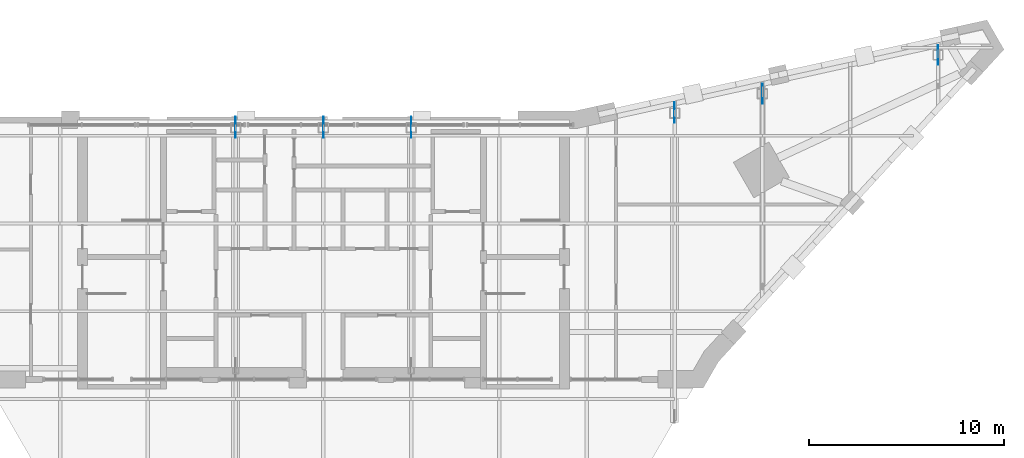
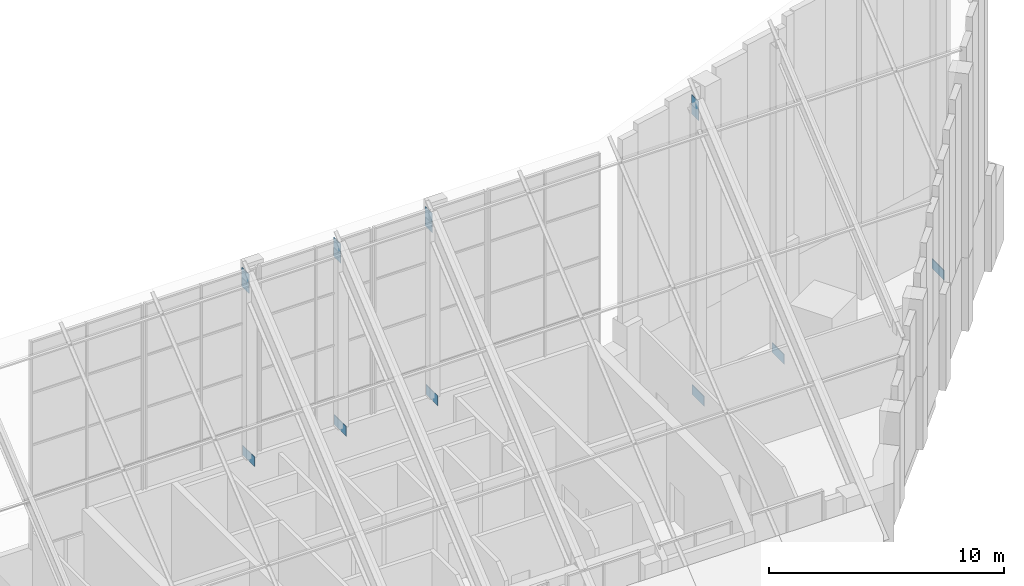
# One storey, part 16 of 19: 10 discrete accessories.
"""IFC4 building model written with IfcOpenShell, lengths in metres."""

from ifc_helpers import new_model, si_unit, direction, frame, origin, origin_2d, place, context, subcontext, project, spatial, rectangle, extrude, material, type_object, element, save


model = new_model("IFC4")

# Units and contexts
model_context = context("Model", 3, precision=1e-05, world=origin(), true_north=direction((0.0, 1.0)))
body_context = subcontext(model_context, "Body", "Model", "MODEL_VIEW")
ifc_project = project(units=[si_unit("LENGTHUNIT", "METRE"), si_unit("AREAUNIT", "SQUARE_METRE"), si_unit("VOLUMEUNIT", "CUBIC_METRE"), si_unit("PLANEANGLEUNIT", "RADIAN"), si_unit("MASSUNIT", "GRAM", prefix="KILO")], contexts=[model_context])

# Site, building, storey
site_placement = place(None, origin())
site = spatial("IfcSite", under=ifc_project, at=site_placement, CompositionType="ELEMENT")
building_placement = place(site_placement, origin())
building = spatial("IfcBuilding", under=site, at=building_placement, Name="Calabash Gate Tower", CompositionType="ELEMENT")
storey_placement = place(building_placement, frame((0.0, 0.0, 335.5)))
storey = spatial("IfcBuildingStorey", under=building, at=storey_placement, Name="L78", CompositionType="ELEMENT", Elevation=335.5)

# Discrete accessories
ifc_material = material(Name="Steel ASTM A572 Gr50", Category="steel")
discrete_accessory_type = type_object("IfcDiscreteAccessoryType", Name="Connection plate 25", PredefinedType="BRACKET", material=ifc_material)
discrete_accessory_1_placement = place(storey_placement, frame((-4.5, 18.9130859375, 13.4384765625), z_axis=(0.0, 0.0, 1.0), x_axis=(0.0, 1.0, 0.0)))
element("IfcDiscreteAccessory", 1, at=discrete_accessory_1_placement, inside=storey, type_object=discrete_accessory_type, Name="Connection plate Roof rafter 3 end", PredefinedType="BRACKET", context=body_context, shape_type="SweptSolid", body=[
    extrude(rectangle(XDim=0.601318359375, YDim=0.02490234375, at=origin_2d()), origin(), (0.0, 0.0, 1.0), 1.000732421875),
])
discrete_accessory_2_placement = place(storey_placement, frame((-4.5, 18.652587890625, 4.74609375), z_axis=(0.0, 0.0, 1.0), x_axis=(0.0, 1.0, 0.0)))
element("IfcDiscreteAccessory", 2, at=discrete_accessory_2_placement, inside=storey, type_object=discrete_accessory_type, Name="Connection plate Roof post 5 start", PredefinedType="BRACKET", context=body_context, shape_type="SweptSolid", body=[
    extrude(rectangle(XDim=1.0126953125, YDim=0.02490234375, at=origin_2d()), origin(), (0.0, 0.0, 1.0), 0.508056640625),
])
discrete_accessory_3_placement = place(storey_placement, frame((0.0, 18.9130859375, 13.4384765625), z_axis=(0.0, 0.0, 1.0), x_axis=(0.0, 1.0, 0.0)))
element("IfcDiscreteAccessory", 3, at=discrete_accessory_3_placement, inside=storey, type_object=discrete_accessory_type, Name="Connection plate Roof rafter 4 end", PredefinedType="BRACKET", context=body_context, shape_type="SweptSolid", body=[
    extrude(rectangle(XDim=0.601318359375, YDim=0.02490234375, at=origin_2d()), origin(), (0.0, 0.0, 1.0), 1.000732421875),
])
discrete_accessory_4_placement = place(storey_placement, frame((0.0, 18.652587890625, 4.74609375), z_axis=(0.0, 0.0, 1.0), x_axis=(0.0, 1.0, 0.0)))
element("IfcDiscreteAccessory", 4, at=discrete_accessory_4_placement, inside=storey, type_object=discrete_accessory_type, Name="Connection plate Roof post 7 start", PredefinedType="BRACKET", context=body_context, shape_type="SweptSolid", body=[
    extrude(rectangle(XDim=1.0126953125, YDim=0.02490234375, at=origin_2d()), origin(), (0.0, 0.0, 1.0), 0.508056640625),
])
discrete_accessory_5_placement = place(storey_placement, frame((4.5, 18.9130859375, 13.4384765625), z_axis=(0.0, 0.0, 1.0), x_axis=(0.0, 1.0, 0.0)))
element("IfcDiscreteAccessory", 5, at=discrete_accessory_5_placement, inside=storey, type_object=discrete_accessory_type, Name="Connection plate Roof rafter 6 end", PredefinedType="BRACKET", context=body_context, shape_type="SweptSolid", body=[
    extrude(rectangle(XDim=0.601318359375, YDim=0.02490234375, at=origin_2d()), origin(), (0.0, 0.0, 1.0), 1.000732421875),
])
discrete_accessory_6_placement = place(storey_placement, frame((4.5, 18.652587890625, 4.74609375), z_axis=(0.0, 0.0, 1.0), x_axis=(0.0, 1.0, 0.0)))
element("IfcDiscreteAccessory", 6, at=discrete_accessory_6_placement, inside=storey, type_object=discrete_accessory_type, Name="Connection plate Roof post 10 start", PredefinedType="BRACKET", context=body_context, shape_type="SweptSolid", body=[
    extrude(rectangle(XDim=1.0126953125, YDim=0.02490234375, at=origin_2d()), origin(), (0.0, 0.0, 1.0), 0.508056640625),
])
discrete_accessory_7_placement = place(storey_placement, frame((18.0, 19.6640625, 14.068359375), z_axis=(0.0, 0.0, 1.0), x_axis=(0.0, 1.0, 0.0)))
element("IfcDiscreteAccessory", 7, at=discrete_accessory_7_placement, inside=storey, type_object=discrete_accessory_type, Name="Connection plate Roof rafter 7 end", PredefinedType="BRACKET", context=body_context, shape_type="SweptSolid", body=[
    extrude(rectangle(XDim=0.601318359375, YDim=0.02490234375, at=origin_2d()), origin(), (0.0, 0.0, 1.0), 1.000732421875),
])
for number, where, z_axis, x_axis, name in (
    (8, (18.0, 19.404052734375, -0.4541015625), (0.0, 0.0, 1.0), (0.0, 1.0, 0.0), "Connection plate Roof post 12 start"),
    (9, (22.5, 20.39697265625, -0.4541015625), (0.0, 0.0, 1.0), (0.0, 1.0, 0.0), "Connection plate Roof post 14 start"),
    (10, (31.5, 22.383056640625, -0.4541015625), (0.0, 0.0, 1.0), (0.0, 1.0, 0.0), "Connection plate Roof post 16 start"),
):
    element("IfcDiscreteAccessory", number, at=place(storey_placement, frame(where, z_axis=z_axis, x_axis=x_axis)), inside=storey, type_object=discrete_accessory_type, Name=name, PredefinedType="BRACKET", context=body_context, shape_type="SweptSolid", body=[
        extrude(rectangle(XDim=1.0126953125, YDim=0.02490234375, at=origin_2d()), origin(), (0.0, 0.0, 1.0), 0.508056640625),
    ])

save(model, "model.ifc")
